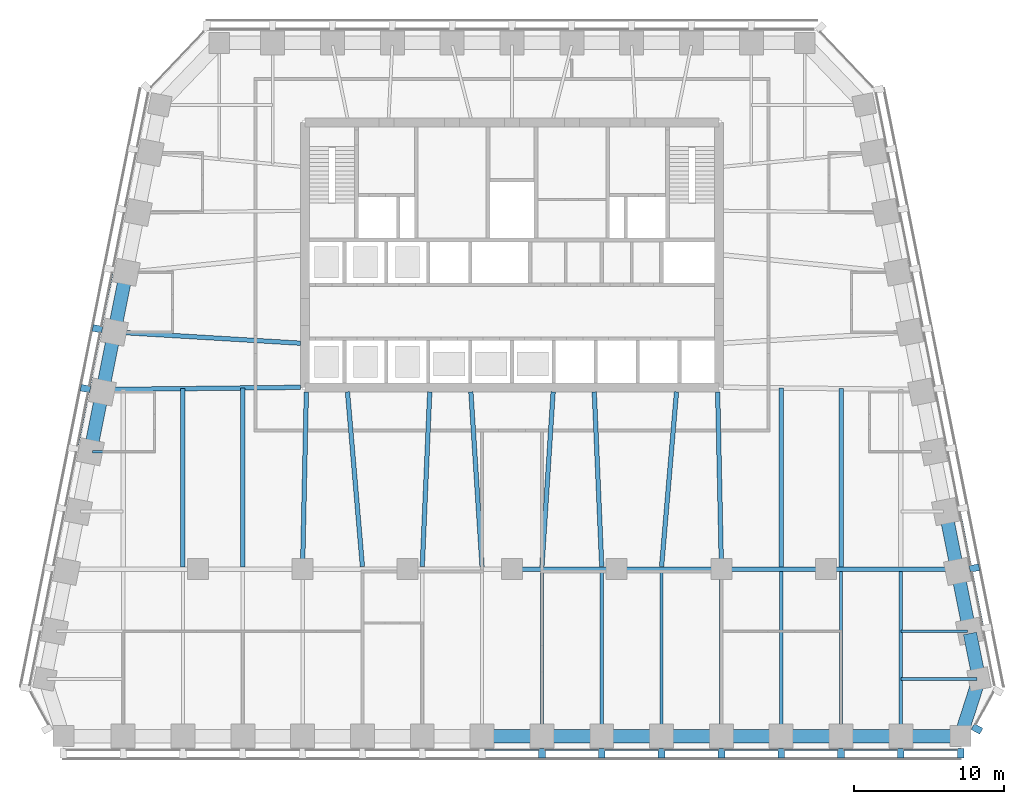
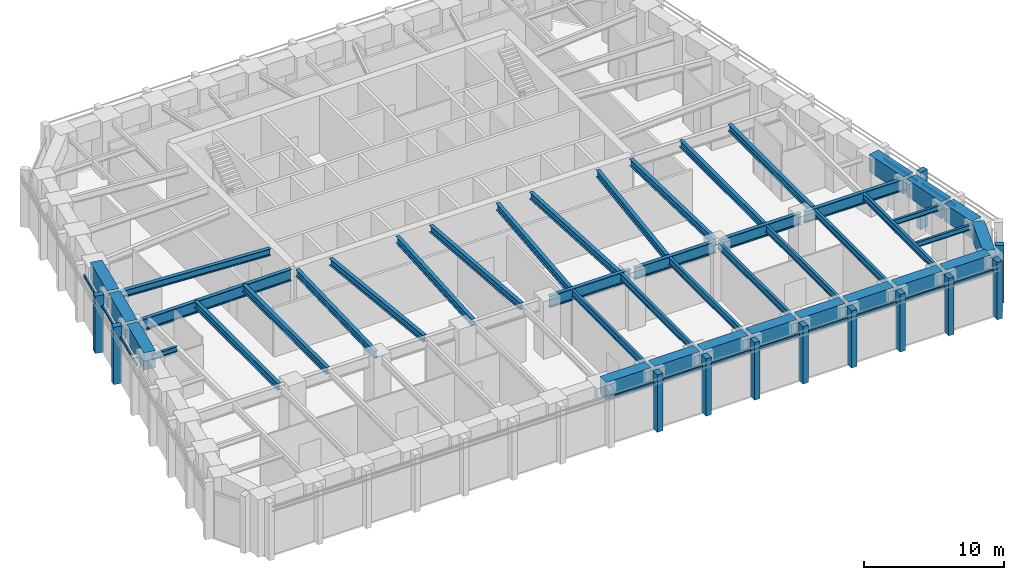
# One storey, part 2 of 11: 43 beams, 25 members, 4 elements without a shape of their own.
"""IFC4 building model written with IfcOpenShell, lengths in metres."""

from ifc_helpers import new_model, si_unit, direction, frame, origin, origin_2d, place, context, subcontext, project, spatial, rectangle, i_section, extrude, material, material_profile, profile_set, type_object, element, aggregate, save


model = new_model("IFC4")

# Units and contexts
model_context = context("Model", 3, precision=1e-05, world=origin(), true_north=direction((0.0, 1.0)))
body_context = subcontext(model_context, "Body", "Model", "MODEL_VIEW")
ifc_project = project(units=[si_unit("LENGTHUNIT", "METRE"), si_unit("AREAUNIT", "SQUARE_METRE"), si_unit("VOLUMEUNIT", "CUBIC_METRE"), si_unit("PLANEANGLEUNIT", "RADIAN"), si_unit("MASSUNIT", "GRAM", prefix="KILO")], contexts=[model_context])

# Site, building, storey
site_placement = place(None, origin())
site = spatial("IfcSite", under=ifc_project, at=site_placement, CompositionType="ELEMENT")
building_placement = place(site_placement, origin())
building = spatial("IfcBuilding", under=site, at=building_placement, Name="Isbrekke Arena Tower", CompositionType="ELEMENT")
storey_placement = place(building_placement, frame((0.0, 0.0, 173.0)))
storey = spatial("IfcBuildingStorey", under=building, at=storey_placement, Name="L39", CompositionType="ELEMENT", Elevation=173.0)

# Beams
ifc_material_1 = material(Name="Steel S355", Category="steel")
ifc_material_profile_1 = material_profile(ifc_material_1, i_section(OverallWidth=0.219970703125, OverallDepth=0.60009765625, WebThickness=0.011962890625, FlangeThickness=0.01904296875, FilletRadius=0.02392578125, at=origin_2d()), Name="IPE 600")
ifc_profile_set_1 = profile_set([ifc_material_profile_1], Name="Steel S355")
beam_type_1 = type_object("IfcBeamType", Name="B1 IPE 600", PredefinedType="BEAM", material=ifc_profile_set_1)
for number, where, z_axis, x_axis, name in (
    (1, (2.0, -17.02490234375, 4.550048828125), (0.0, 1.0, 0.0), (-1.0, 0.0, 0.0), "B1 beam S-S09 L39"),
    (2, (6.0, -17.02490234375, 4.550048828125), (0.0, 1.0, 0.0), (-1.0, 0.0, 0.0), "B1 beam S-S10 L39"),
    (3, (10.0, -17.02490234375, 4.550048828125), (0.0, 1.0, 0.0), (-1.0, 0.0, 0.0), "B1 beam S-S11 L39"),
):
    element("IfcBeam", number, at=place(storey_placement, frame(where, z_axis=z_axis, x_axis=x_axis)), inside=storey, type_object=beam_type_1, Name=name, PredefinedType="BEAM", context=body_context, shape_type="SweptSolid", body=[
        extrude(i_section(OverallWidth=0.219970703125, OverallDepth=0.60009765625, WebThickness=0.011962890625, FlangeThickness=0.01904296875, FilletRadius=0.02392578125, at=origin_2d()), origin(), (0.0, 0.0, 1.0), 10.8740234375),
    ])
beam_1_placement = place(storey_placement, frame((14.0, -17.02490234375, 4.550048828125), z_axis=(0.0, 1.0, 0.0), x_axis=(-1.0, 0.0, 0.0)))
element("IfcBeam", 4, at=beam_1_placement, inside=storey, type_object=beam_type_1, Name="B1 beam S-S12 L39", PredefinedType="BEAM", context=body_context, shape_type="SweptSolid", body=[
    extrude(i_section(OverallWidth=0.219970703125, OverallDepth=0.60009765625, WebThickness=0.011962890625, FlangeThickness=0.01904296875, FilletRadius=0.02392578125, at=origin_2d()), origin(), (0.0, 0.0, 1.0), 10.875),
])
for number, where, z_axis, x_axis, name in (
    (5, (18.0, -17.02490234375, 4.550048828125), (0.0, 1.0, 0.0), (-1.0, 0.0, 0.0), "B1 beam S-S13 L39"),
    (6, (22.0, -17.02490234375, 4.550048828125), (0.0, 1.0, 0.0), (-1.0, 0.0, 0.0), "B1 beam S-S14 L39"),
    (7, (26.0, -17.02490234375, 4.550048828125), (0.0, 1.0, 0.0), (-1.0, 0.0, 0.0), "B1 beam S-S15 L39"),
):
    element("IfcBeam", number, at=place(storey_placement, frame(where, z_axis=z_axis, x_axis=x_axis)), inside=storey, type_object=beam_type_1, Name=name, PredefinedType="BEAM", context=body_context, shape_type="SweptSolid", body=[
        extrude(i_section(OverallWidth=0.219970703125, OverallDepth=0.60009765625, WebThickness=0.011962890625, FlangeThickness=0.01904296875, FilletRadius=0.02392578125, at=origin_2d()), origin(), (0.0, 0.0, 1.0), 10.8740234375),
    ])
ifc_material_2 = material(Name="Steel S355", Category="steel")
ifc_material_profile_2 = material_profile(ifc_material_2, i_section(OverallWidth=0.18994140625, OverallDepth=0.449951171875, WebThickness=0.009521484375, FlangeThickness=0.0146484375, FilletRadius=0.02099609375, at=origin_2d()), Name="IPE 450")
ifc_profile_set_2 = profile_set([ifc_material_profile_2], Name="Steel S355")
beam_type_2 = type_object("IfcBeamType", Name="B2 IPE 450", PredefinedType="BEAM", material=ifc_profile_set_2)
beam_2_placement = place(storey_placement, frame((31.079345703125, -13.352783203125, 4.625), z_axis=(-1.0, 0.0, 0.0), x_axis=(0.0, -1.0, 0.0)))
element("IfcBeam", 8, at=beam_2_placement, inside=storey, type_object=beam_type_2, Name="B2 beam E-E01 L39", PredefinedType="BEAM", context=body_context, shape_type="SweptSolid", body=[
    extrude(i_section(OverallWidth=0.18994140625, OverallDepth=0.449951171875, WebThickness=0.009521484375, FlangeThickness=0.0146484375, FilletRadius=0.02099609375, at=origin_2d()), origin(), (0.0, 0.0, 1.0), 5.079345703125),
])
beam_3_placement = place(storey_placement, frame((30.44091796875, -10.161865234375, 4.625), z_axis=(-1.0, 0.0, 0.0), x_axis=(0.0, -1.0, 0.0)))
element("IfcBeam", 9, at=beam_3_placement, inside=storey, type_object=beam_type_2, Name="B2 beam E-E02 L39", PredefinedType="BEAM", context=body_context, shape_type="SweptSolid", body=[
    extrude(i_section(OverallWidth=0.18994140625, OverallDepth=0.449951171875, WebThickness=0.009521484375, FlangeThickness=0.0146484375, FilletRadius=0.02099609375, at=origin_2d()), origin(), (0.0, 0.0, 1.0), 4.44091796875),
])
beam_4_placement = place(storey_placement, frame((-28.041015625, 1.838134765625, 4.625), z_axis=(1.0, 0.0, 0.0), x_axis=(0.0, 1.0, 0.0)))
element("IfcBeam", 10, at=beam_4_placement, inside=storey, type_object=beam_type_2, Name="B2 beam E-W07 L39", PredefinedType="BEAM", context=body_context, shape_type="SweptSolid", body=[
    extrude(i_section(OverallWidth=0.18994140625, OverallDepth=0.449951171875, WebThickness=0.009521484375, FlangeThickness=0.0146484375, FilletRadius=0.02099609375, at=origin_2d()), origin(), (0.0, 0.0, 1.0), 2.041015625),
])
ifc_material_3 = material(Name="Steel S355", Category="steel")
ifc_material_profile_3 = material_profile(ifc_material_3, i_section(OverallWidth=0.300048828125, OverallDepth=0.60009765625, WebThickness=0.015380859375, FlangeThickness=0.030029296875, FilletRadius=0.027099609375, at=origin_2d()), Name="HEB 600")
ifc_profile_set_3 = profile_set([ifc_material_profile_3], Name="Steel S355")
beam_type_3 = type_object("IfcBeamType", Name="B7 HEB 600", PredefinedType="BEAM", material=ifc_profile_set_3)
beam_5_placement = place(storey_placement, frame((-22.0, -5.84912109375, 4.550048828125), z_axis=(0.0, 1.0, 0.0), x_axis=(-1.0, 0.0, 0.0)))
element("IfcBeam", 11, at=beam_5_placement, inside=storey, type_object=beam_type_3, Name="B7 beam C-M02 L39", PredefinedType="BEAM", context=body_context, shape_type="SweptSolid", body=[
    extrude(i_section(OverallWidth=0.300048828125, OverallDepth=0.60009765625, WebThickness=0.015380859375, FlangeThickness=0.030029296875, FilletRadius=0.027099609375, at=origin_2d()), origin(), (0.0, 0.0, 1.0), 11.91015625),
])
beam_6_placement = place(storey_placement, frame((-18.0, -5.84912109375, 4.550048828125), z_axis=(0.0, 1.0, 0.0), x_axis=(-1.0, 0.0, 0.0)))
element("IfcBeam", 12, at=beam_6_placement, inside=storey, type_object=beam_type_3, Name="B7 beam C-M03 L39", PredefinedType="BEAM", context=body_context, shape_type="SweptSolid", body=[
    extrude(i_section(OverallWidth=0.300048828125, OverallDepth=0.60009765625, WebThickness=0.015380859375, FlangeThickness=0.030029296875, FilletRadius=0.027099609375, at=origin_2d()), origin(), (0.0, 0.0, 1.0), 11.95556640625),
])
beam_7_placement = place(storey_placement, frame((-14.0, -5.8466796875, 4.550048828125), z_axis=(0.021368528218, 0.999771666933, 0.0), x_axis=(-0.999771666933, 0.021368528218, 0.0)))
element("IfcBeam", 13, at=beam_7_placement, inside=storey, type_object=beam_type_3, Name="B7 beam C-M04 L39", PredefinedType="BEAM", context=body_context, shape_type="SweptSolid", body=[
    extrude(i_section(OverallWidth=0.300048828125, OverallDepth=0.60009765625, WebThickness=0.015380859375, FlangeThickness=0.030029296875, FilletRadius=0.027099609375, at=origin_2d()), origin(), (0.0, 0.0, 1.0), 11.699462890625),
])
beam_8_placement = place(storey_placement, frame((-10.0009765625, -5.836181640625, 4.550048828125), z_axis=(-0.085176202372, 0.996365903948, 0.0), x_axis=(-0.996365903948, -0.085176202372, 0.0)))
element("IfcBeam", 14, at=beam_8_placement, inside=storey, type_object=beam_type_3, Name="B7 beam C-M05 L39", PredefinedType="BEAM", context=body_context, shape_type="SweptSolid", body=[
    extrude(i_section(OverallWidth=0.300048828125, OverallDepth=0.60009765625, WebThickness=0.015380859375, FlangeThickness=0.030029296875, FilletRadius=0.027099609375, at=origin_2d()), origin(), (0.0, 0.0, 1.0), 11.72900390625),
])
beam_9_placement = place(storey_placement, frame((-5.999755859375, -5.842529296875, 4.550048828125), z_axis=(0.042702124015, 0.999087848292, 0.0), x_axis=(-0.999087848292, 0.042702124015, 0.0)))
element("IfcBeam", 15, at=beam_9_placement, inside=storey, type_object=beam_type_3, Name="B7 beam C-M06 L39", PredefinedType="BEAM", context=body_context, shape_type="SweptSolid", body=[
    extrude(i_section(OverallWidth=0.300048828125, OverallDepth=0.60009765625, WebThickness=0.015380859375, FlangeThickness=0.030029296875, FilletRadius=0.027099609375, at=origin_2d()), origin(), (0.0, 0.0, 1.0), 11.703369140625),
])
for number, where, z_axis, x_axis, name in (
    (16, (-2.000732421875, -5.83935546875, 4.550048828125), (-0.063966475255, 0.997952047968, 0.0), (-0.997952047968, -0.063966475255, 0.0), "B7 beam C-M07 L39"),
    (17, (2.000732421875, -5.83935546875, 4.550048828125), (0.063966475255, 0.997952047968, 0.0), (-0.997952047968, 0.063966475255, 0.0), "B7 beam C-M08 L39"),
):
    element("IfcBeam", number, at=place(storey_placement, frame(where, z_axis=z_axis, x_axis=x_axis)), inside=storey, type_object=beam_type_3, Name=name, PredefinedType="BEAM", context=body_context, shape_type="SweptSolid", body=[
        extrude(i_section(OverallWidth=0.300048828125, OverallDepth=0.60009765625, WebThickness=0.015380859375, FlangeThickness=0.030029296875, FilletRadius=0.027099609375, at=origin_2d()), origin(), (0.0, 0.0, 1.0), 11.71337890625),
    ])
beam_10_placement = place(storey_placement, frame((5.999755859375, -5.842529296875, 4.550048828125), z_axis=(-0.042702124015, 0.999087848292, 0.0), x_axis=(-0.999087848292, -0.042702124015, 0.0)))
element("IfcBeam", 18, at=beam_10_placement, inside=storey, type_object=beam_type_3, Name="B7 beam C-M09 L39", PredefinedType="BEAM", context=body_context, shape_type="SweptSolid", body=[
    extrude(i_section(OverallWidth=0.300048828125, OverallDepth=0.60009765625, WebThickness=0.015380859375, FlangeThickness=0.030029296875, FilletRadius=0.027099609375, at=origin_2d()), origin(), (0.0, 0.0, 1.0), 11.703369140625),
])
beam_11_placement = place(storey_placement, frame((10.0009765625, -5.836181640625, 4.550048828125), z_axis=(0.085176202372, 0.996365903948, 0.0), x_axis=(-0.996365903948, 0.085176202372, 0.0)))
element("IfcBeam", 19, at=beam_11_placement, inside=storey, type_object=beam_type_3, Name="B7 beam C-M10 L39", PredefinedType="BEAM", context=body_context, shape_type="SweptSolid", body=[
    extrude(i_section(OverallWidth=0.300048828125, OverallDepth=0.60009765625, WebThickness=0.015380859375, FlangeThickness=0.030029296875, FilletRadius=0.027099609375, at=origin_2d()), origin(), (0.0, 0.0, 1.0), 11.72900390625),
])
beam_12_placement = place(storey_placement, frame((14.0, -5.8466796875, 4.550048828125), z_axis=(-0.021368528218, 0.999771666933, 0.0), x_axis=(-0.999771666933, -0.021368528218, 0.0)))
element("IfcBeam", 20, at=beam_12_placement, inside=storey, type_object=beam_type_3, Name="B7 beam C-M11 L39", PredefinedType="BEAM", context=body_context, shape_type="SweptSolid", body=[
    extrude(i_section(OverallWidth=0.300048828125, OverallDepth=0.60009765625, WebThickness=0.015380859375, FlangeThickness=0.030029296875, FilletRadius=0.027099609375, at=origin_2d()), origin(), (0.0, 0.0, 1.0), 11.699462890625),
])
beam_13_placement = place(storey_placement, frame((18.0, -5.84912109375, 4.550048828125), z_axis=(0.0, 1.0, 0.0), x_axis=(-1.0, 0.0, 0.0)))
element("IfcBeam", 21, at=beam_13_placement, inside=storey, type_object=beam_type_3, Name="B7 beam C-M12 L39", PredefinedType="BEAM", context=body_context, shape_type="SweptSolid", body=[
    extrude(i_section(OverallWidth=0.300048828125, OverallDepth=0.60009765625, WebThickness=0.015380859375, FlangeThickness=0.030029296875, FilletRadius=0.027099609375, at=origin_2d()), origin(), (0.0, 0.0, 1.0), 11.95556640625),
])
beam_14_placement = place(storey_placement, frame((22.0, -5.84912109375, 4.550048828125), z_axis=(0.0, 1.0, 0.0), x_axis=(-1.0, 0.0, 0.0)))
element("IfcBeam", 22, at=beam_14_placement, inside=storey, type_object=beam_type_3, Name="B7 beam C-M13 L39", PredefinedType="BEAM", context=body_context, shape_type="SweptSolid", body=[
    extrude(i_section(OverallWidth=0.300048828125, OverallDepth=0.60009765625, WebThickness=0.015380859375, FlangeThickness=0.030029296875, FilletRadius=0.027099609375, at=origin_2d()), origin(), (0.0, 0.0, 1.0), 11.91015625),
])
beam_15_placement = place(storey_placement, frame((-26.43212890625, 9.837646484375, 4.550048828125), z_axis=(0.998201854902, -0.059942112659, 0.0), x_axis=(0.059942112659, 0.998201854902, 0.0)))
element("IfcBeam", 23, at=beam_15_placement, inside=storey, type_object=beam_type_3, Name="B7 beam E-W05 L39", PredefinedType="BEAM", context=body_context, shape_type="SweptSolid", body=[
    extrude(i_section(OverallWidth=0.300048828125, OverallDepth=0.60009765625, WebThickness=0.015380859375, FlangeThickness=0.030029296875, FilletRadius=0.027099609375, at=origin_2d()), origin(), (0.0, 0.0, 1.0), 12.304443359375),
])

# Curtain wall, members
ifc_material_4 = material(Name="Glazed aluminium curtain wall", Category="aluminium")
curtain_wall_type = type_object("IfcCurtainWallType", Name="CWS SKY LOBBY CURTAIN WALL", PredefinedType="USERDEFINED", material=ifc_material_4)
curtain_wall_1_placement = place(storey_placement, origin())
curtain_wall_1 = element("IfcCurtainWall", 24, at=curtain_wall_1_placement, inside=storey, type_object=curtain_wall_type, Name="CWS curtain wall L39-S", ObjectType="SKY LOBBY CURTAIN WALL", PredefinedType="USERDEFINED")
ifc_material_5 = material(Name="Aluminium mullion, pale brick slip cladding", Category="masonry")
ifc_material_profile_4 = material_profile(ifc_material_5, rectangle(XDim=0.449951171875, YDim=0.64990234375, at=origin_2d()), Name="PIER 450X650")
ifc_profile_set_4 = profile_set([ifc_material_profile_4], Name="Aluminium mullion, pale brick slip cladding")
member_type_1 = type_object("IfcMemberType", Name="CWS-M PIER MULLION 450 x 650", PredefinedType="MULLION", material=ifc_profile_set_4)
member_1_placement = place(storey_placement, frame((2.0, -18.324951171875, 0.0), z_axis=(0.0, 0.0, 1.0), x_axis=(1.0, 0.0, 0.0)))
member_1 = element("IfcMember", 25, at=member_1_placement, type_object=member_type_1, Name="CWS-M mullion 9", PredefinedType="MULLION", context=body_context, shape_type="SweptSolid", body=[
    extrude(rectangle(XDim=0.449951171875, YDim=0.64990234375, at=origin_2d()), origin(), (0.0, 0.0, 1.0), 5.0),
])
member_2_placement = place(storey_placement, frame((6.0, -18.324951171875, 0.0), z_axis=(0.0, 0.0, 1.0), x_axis=(1.0, 0.0, 0.0)))
member_2 = element("IfcMember", 26, at=member_2_placement, type_object=member_type_1, Name="CWS-M mullion 10", PredefinedType="MULLION", context=body_context, shape_type="SweptSolid", body=[
    extrude(rectangle(XDim=0.449951171875, YDim=0.64990234375, at=origin_2d()), origin(), (0.0, 0.0, 1.0), 5.0),
])
member_3_placement = place(storey_placement, frame((10.0, -18.324951171875, 0.0), z_axis=(0.0, 0.0, 1.0), x_axis=(1.0, 0.0, 0.0)))
member_3 = element("IfcMember", 27, at=member_3_placement, type_object=member_type_1, Name="CWS-M mullion 11", PredefinedType="MULLION", context=body_context, shape_type="SweptSolid", body=[
    extrude(rectangle(XDim=0.449951171875, YDim=0.64990234375, at=origin_2d()), origin(), (0.0, 0.0, 1.0), 5.0),
])
member_4_placement = place(storey_placement, frame((14.0, -18.324951171875, 0.0), z_axis=(0.0, 0.0, 1.0), x_axis=(1.0, 0.0, 0.0)))
member_4 = element("IfcMember", 28, at=member_4_placement, type_object=member_type_1, Name="CWS-M mullion 12", PredefinedType="MULLION", context=body_context, shape_type="SweptSolid", body=[
    extrude(rectangle(XDim=0.449951171875, YDim=0.64990234375, at=origin_2d()), origin(), (0.0, 0.0, 1.0), 5.0),
])
member_5_placement = place(storey_placement, frame((18.0, -18.324951171875, 0.0), z_axis=(0.0, 0.0, 1.0), x_axis=(1.0, 0.0, 0.0)))
member_5 = element("IfcMember", 29, at=member_5_placement, type_object=member_type_1, Name="CWS-M mullion 13", PredefinedType="MULLION", context=body_context, shape_type="SweptSolid", body=[
    extrude(rectangle(XDim=0.449951171875, YDim=0.64990234375, at=origin_2d()), origin(), (0.0, 0.0, 1.0), 5.0),
])
member_6_placement = place(storey_placement, frame((22.0, -18.324951171875, 0.0), z_axis=(0.0, 0.0, 1.0), x_axis=(1.0, 0.0, 0.0)))
member_6 = element("IfcMember", 30, at=member_6_placement, type_object=member_type_1, Name="CWS-M mullion 14", PredefinedType="MULLION", context=body_context, shape_type="SweptSolid", body=[
    extrude(rectangle(XDim=0.449951171875, YDim=0.64990234375, at=origin_2d()), origin(), (0.0, 0.0, 1.0), 5.0),
])
member_7_placement = place(storey_placement, frame((26.0, -18.324951171875, 0.0), z_axis=(0.0, 0.0, 1.0), x_axis=(1.0, 0.0, 0.0)))
member_7 = element("IfcMember", 31, at=member_7_placement, type_object=member_type_1, Name="CWS-M mullion 15", PredefinedType="MULLION", context=body_context, shape_type="SweptSolid", body=[
    extrude(rectangle(XDim=0.449951171875, YDim=0.64990234375, at=origin_2d()), origin(), (0.0, 0.0, 1.0), 5.0),
])
member_8_placement = place(storey_placement, frame((30.0, -18.324951171875, 0.0), z_axis=(0.0, 0.0, 1.0), x_axis=(1.0, 0.0, 0.0)))
member_8 = element("IfcMember", 32, at=member_8_placement, type_object=member_type_1, Name="CWS-M mullion 16", PredefinedType="MULLION", context=body_context, shape_type="SweptSolid", body=[
    extrude(rectangle(XDim=0.449951171875, YDim=0.64990234375, at=origin_2d()), origin(), (0.0, 0.0, 1.0), 5.0),
])

# Curtain wall, member
curtain_wall_2_placement = place(storey_placement, origin())
curtain_wall_2 = element("IfcCurtainWall", 33, at=curtain_wall_2_placement, inside=storey, type_object=curtain_wall_type, Name="CWS curtain wall L39-SE", ObjectType="SKY LOBBY CURTAIN WALL", PredefinedType="USERDEFINED")
member_9_placement = place(storey_placement, frame((31.0908203125, -16.69091796875, 0.0), z_axis=(0.0, 0.0, 1.0), x_axis=(0.481918749773, 0.876215908676, 0.0)))
member_9 = element("IfcMember", 34, at=member_9_placement, type_object=member_type_1, Name="CWS-M mullion 1", PredefinedType="MULLION", context=body_context, shape_type="SweptSolid", body=[
    extrude(rectangle(XDim=0.449951171875, YDim=0.64990234375, at=origin_2d()), origin(), (0.0, 0.0, 1.0), 5.0),
])
aggregate(curtain_wall_2, [member_9])

curtain_wall_3_placement = place(storey_placement, origin())
curtain_wall_3 = element("IfcCurtainWall", 35, at=curtain_wall_3_placement, inside=storey, type_object=curtain_wall_type, Name="CWS curtain wall L39-E", ObjectType="SKY LOBBY CURTAIN WALL", PredefinedType="USERDEFINED")
member_10_placement = place(storey_placement, frame((30.918701171875, -5.936279296875, 0.0), z_axis=(0.0, 0.0, 1.0), x_axis=(-0.196116135138, 0.980580675691, 0.0)))
member_10 = element("IfcMember", 36, at=member_10_placement, type_object=member_type_1, Name="CWS-M mullion 2", PredefinedType="MULLION", context=body_context, shape_type="SweptSolid", body=[
    extrude(rectangle(XDim=0.449951171875, YDim=0.64990234375, at=origin_2d()), origin(), (0.0, 0.0, 1.0), 5.0),
])

# Curtain wall, members
curtain_wall_4_placement = place(storey_placement, origin())
curtain_wall_4 = element("IfcCurtainWall", 37, at=curtain_wall_4_placement, inside=storey, type_object=curtain_wall_type, Name="CWS curtain wall L39-W", ObjectType="SKY LOBBY CURTAIN WALL", PredefinedType="USERDEFINED")
member_11_placement = place(storey_placement, frame((-27.71875, 10.063720703125, 0.0), z_axis=(0.0, 0.0, 1.0), x_axis=(-0.196116135138, -0.980580675691, 0.0)))
member_11 = element("IfcMember", 38, at=member_11_placement, type_object=member_type_1, Name="CWS-M mullion 4", PredefinedType="MULLION", context=body_context, shape_type="SweptSolid", body=[
    extrude(rectangle(XDim=0.449951171875, YDim=0.64990234375, at=origin_2d()), origin(), (0.0, 0.0, 1.0), 5.0),
])
member_12_placement = place(storey_placement, frame((-28.518798828125, 6.063720703125, 0.0), z_axis=(0.0, 0.0, 1.0), x_axis=(-0.196116135138, -0.980580675691, 0.0)))
member_12 = element("IfcMember", 39, at=member_12_placement, type_object=member_type_1, Name="CWS-M mullion 5", PredefinedType="MULLION", context=body_context, shape_type="SweptSolid", body=[
    extrude(rectangle(XDim=0.449951171875, YDim=0.64990234375, at=origin_2d()), origin(), (0.0, 0.0, 1.0), 5.0),
])

# Member
ifc_material_6 = material(Name="Aluminium transom", Category="aluminium")
ifc_material_profile_5 = material_profile(ifc_material_6, rectangle(XDim=0.1201171875, YDim=0.199951171875, at=origin_2d()), Name="TRANSOM 120X200")
ifc_profile_set_5 = profile_set([ifc_material_profile_5], Name="Aluminium transom")
member_type_2 = type_object("IfcMemberType", Name="CWS-T TRANSOM 120 x 200", PredefinedType="USERDEFINED", material=ifc_profile_set_5)
member_13_placement = place(storey_placement, frame((-1.77490234375, -18.10009765625, 4.0), z_axis=(1.0, 0.0, 0.0), x_axis=(0.0, 1.0, 0.0)))
member_13 = element("IfcMember", 40, at=member_13_placement, type_object=member_type_2, Name="CWS-T transom 8", ObjectType="TRANSOM", PredefinedType="USERDEFINED", context=body_context, shape_type="SweptSolid", body=[
    extrude(rectangle(XDim=0.1201171875, YDim=0.199951171875, at=origin_2d()), origin(), (0.0, 0.0, 1.0), 3.5498046875),
])

member_14_placement = place(storey_placement, frame((2.22509765625, -18.10009765625, 4.0), z_axis=(1.0, 0.0, 0.0), x_axis=(0.0, 1.0, 0.0)))
member_14 = element("IfcMember", 41, at=member_14_placement, type_object=member_type_2, Name="CWS-T transom 9", ObjectType="TRANSOM", PredefinedType="USERDEFINED", context=body_context, shape_type="SweptSolid", body=[
    extrude(rectangle(XDim=0.1201171875, YDim=0.199951171875, at=origin_2d()), origin(), (0.0, 0.0, 1.0), 3.5498046875),
])

member_15_placement = place(storey_placement, frame((6.22509765625, -18.10009765625, 4.0), z_axis=(1.0, 0.0, 0.0), x_axis=(0.0, 1.0, 0.0)))
member_15 = element("IfcMember", 42, at=member_15_placement, type_object=member_type_2, Name="CWS-T transom 10", ObjectType="TRANSOM", PredefinedType="USERDEFINED", context=body_context, shape_type="SweptSolid", body=[
    extrude(rectangle(XDim=0.1201171875, YDim=0.199951171875, at=origin_2d()), origin(), (0.0, 0.0, 1.0), 3.5498046875),
])

member_16_placement = place(storey_placement, frame((10.22509765625, -18.10009765625, 4.0), z_axis=(1.0, 0.0, 0.0), x_axis=(0.0, 1.0, 0.0)))
member_16 = element("IfcMember", 43, at=member_16_placement, type_object=member_type_2, Name="CWS-T transom 11", ObjectType="TRANSOM", PredefinedType="USERDEFINED", context=body_context, shape_type="SweptSolid", body=[
    extrude(rectangle(XDim=0.1201171875, YDim=0.199951171875, at=origin_2d()), origin(), (0.0, 0.0, 1.0), 3.5498046875),
])

member_17_placement = place(storey_placement, frame((14.22509765625, -18.10009765625, 4.0), z_axis=(1.0, 0.0, 0.0), x_axis=(0.0, 1.0, 0.0)))
member_17 = element("IfcMember", 44, at=member_17_placement, type_object=member_type_2, Name="CWS-T transom 12", ObjectType="TRANSOM", PredefinedType="USERDEFINED", context=body_context, shape_type="SweptSolid", body=[
    extrude(rectangle(XDim=0.1201171875, YDim=0.199951171875, at=origin_2d()), origin(), (0.0, 0.0, 1.0), 3.5498046875),
])

member_18_placement = place(storey_placement, frame((18.22509765625, -18.10009765625, 4.0), z_axis=(1.0, 0.0, 0.0), x_axis=(0.0, 1.0, 0.0)))
member_18 = element("IfcMember", 45, at=member_18_placement, type_object=member_type_2, Name="CWS-T transom 13", ObjectType="TRANSOM", PredefinedType="USERDEFINED", context=body_context, shape_type="SweptSolid", body=[
    extrude(rectangle(XDim=0.1201171875, YDim=0.199951171875, at=origin_2d()), origin(), (0.0, 0.0, 1.0), 3.5498046875),
])

member_19_placement = place(storey_placement, frame((22.22509765625, -18.10009765625, 4.0), z_axis=(1.0, 0.0, 0.0), x_axis=(0.0, 1.0, 0.0)))
member_19 = element("IfcMember", 46, at=member_19_placement, type_object=member_type_2, Name="CWS-T transom 14", ObjectType="TRANSOM", PredefinedType="USERDEFINED", context=body_context, shape_type="SweptSolid", body=[
    extrude(rectangle(XDim=0.1201171875, YDim=0.199951171875, at=origin_2d()), origin(), (0.0, 0.0, 1.0), 3.5498046875),
])

member_20_placement = place(storey_placement, frame((26.22509765625, -18.10009765625, 4.0), z_axis=(1.0, 0.0, 0.0), x_axis=(0.0, 1.0, 0.0)))
member_20 = element("IfcMember", 47, at=member_20_placement, type_object=member_type_2, Name="CWS-T transom 15", ObjectType="TRANSOM", PredefinedType="USERDEFINED", context=body_context, shape_type="SweptSolid", body=[
    extrude(rectangle(XDim=0.1201171875, YDim=0.199951171875, at=origin_2d()), origin(), (0.0, 0.0, 1.0), 3.5498046875),
])

aggregate(curtain_wall_1, [member_1, member_2, member_3, member_4, member_5, member_6, member_7, member_8, member_13, member_14, member_15, member_16, member_17, member_18, member_19, member_20])

member_21_placement = place(storey_placement, frame((31.453857421875, -9.759765625, 4.0), z_axis=(-0.196090262229, 0.980585849918, 0.0), x_axis=(-0.980585849918, -0.196090262229, 0.0)))
member_21 = element("IfcMember", 48, at=member_21_placement, type_object=member_type_2, Name="CWS-T transom 2", ObjectType="TRANSOM", PredefinedType="USERDEFINED", context=body_context, shape_type="SweptSolid", body=[
    extrude(rectangle(XDim=0.1201171875, YDim=0.199951171875, at=origin_2d()), origin(), (0.0, 0.0, 1.0), 3.62939453125),
])

member_22_placement = place(storey_placement, frame((30.654052734375, -5.759765625, 4.0), z_axis=(-0.196154943734, 0.980572913173, 0.0), x_axis=(-0.980572913173, -0.196154943734, 0.0)))
member_22 = element("IfcMember", 49, at=member_22_placement, type_object=member_type_2, Name="CWS-T transom 3", ObjectType="TRANSOM", PredefinedType="USERDEFINED", context=body_context, shape_type="SweptSolid", body=[
    extrude(rectangle(XDim=0.1201171875, YDim=0.199951171875, at=origin_2d()), origin(), (0.0, 0.0, 1.0), 3.62939453125),
])

aggregate(curtain_wall_3, [member_10, member_21, member_22])

member_23_placement = place(storey_placement, frame((-26.7421875, 13.799072265625, 4.0), z_axis=(-0.196090262229, -0.980585849918, 0.0), x_axis=(0.980585849918, -0.196090262229, 0.0)))
member_23 = element("IfcMember", 50, at=member_23_placement, type_object=member_type_2, Name="CWS-T transom 4", ObjectType="TRANSOM", PredefinedType="USERDEFINED", context=body_context, shape_type="SweptSolid", body=[
    extrude(rectangle(XDim=0.1201171875, YDim=0.199951171875, at=origin_2d()), origin(), (0.0, 0.0, 1.0), 3.62939453125),
])

member_24_placement = place(storey_placement, frame((-27.542236328125, 9.799072265625, 4.0), z_axis=(-0.196090262229, -0.980585849918, 0.0), x_axis=(0.980585849918, -0.196090262229, 0.0)))
member_24 = element("IfcMember", 51, at=member_24_placement, type_object=member_type_2, Name="CWS-T transom 5", ObjectType="TRANSOM", PredefinedType="USERDEFINED", context=body_context, shape_type="SweptSolid", body=[
    extrude(rectangle(XDim=0.1201171875, YDim=0.199951171875, at=origin_2d()), origin(), (0.0, 0.0, 1.0), 3.62939453125),
])

member_25_placement = place(storey_placement, frame((-28.34228515625, 5.799072265625, 4.0), z_axis=(-0.196090262229, -0.980585849918, 0.0), x_axis=(0.980585849918, -0.196090262229, 0.0)))
member_25 = element("IfcMember", 52, at=member_25_placement, type_object=member_type_2, Name="CWS-T transom 6", ObjectType="TRANSOM", PredefinedType="USERDEFINED", context=body_context, shape_type="SweptSolid", body=[
    extrude(rectangle(XDim=0.1201171875, YDim=0.199951171875, at=origin_2d()), origin(), (0.0, 0.0, 1.0), 3.62939453125),
])

aggregate(curtain_wall_4, [member_11, member_12, member_23, member_24, member_25])

# Beams
ifc_material_7 = material(Name="Steel S355", Category="steel")
ifc_material_profile_6 = material_profile(ifc_material_7, i_section(OverallWidth=0.302001953125, OverallDepth=1.008056640625, WebThickness=0.02099609375, FlangeThickness=0.0400390625, FilletRadius=0.030029296875, at=origin_2d()), Name="HEM 1000")
ifc_profile_set_6 = profile_set([ifc_material_profile_6], Name="Steel S355")
beam_type_4 = type_object("IfcBeamType", Name="G1 HEM 1000", PredefinedType="BEAM", material=ifc_profile_set_6)
for number, where, z_axis, x_axis, name in (
    (53, (0.14990234375, -6.0, 4.345947265625), (1.0, 0.0, 0.0), (0.0, 1.0, 0.0), "G1 beam G1-05 L39"),
    (54, (7.14990234375, -6.0, 4.345947265625), (1.0, 0.0, 0.0), (0.0, 1.0, 0.0), "G1 beam G1-06 L39"),
    (55, (14.14990234375, -6.0, 4.345947265625), (1.0, 0.0, 0.0), (0.0, 1.0, 0.0), "G1 beam G1-07 L39"),
):
    element("IfcBeam", number, at=place(storey_placement, frame(where, z_axis=z_axis, x_axis=x_axis)), inside=storey, type_object=beam_type_4, Name=name, PredefinedType="BEAM", context=body_context, shape_type="SweptSolid", body=[
        extrude(i_section(OverallWidth=0.302001953125, OverallDepth=1.008056640625, WebThickness=0.02099609375, FlangeThickness=0.0400390625, FilletRadius=0.030029296875, at=origin_2d()), origin(), (0.0, 0.0, 1.0), 6.7001953125),
    ])
beam_16_placement = place(storey_placement, frame((21.14990234375, -6.0, 4.345947265625), z_axis=(1.0, 0.0, 0.0), x_axis=(0.0, 1.0, 0.0)))
element("IfcBeam", 56, at=beam_16_placement, inside=storey, type_object=beam_type_4, Name="G1 beam G1-08 L39", PredefinedType="BEAM", context=body_context, shape_type="SweptSolid", body=[
    extrude(i_section(OverallWidth=0.302001953125, OverallDepth=1.008056640625, WebThickness=0.02099609375, FlangeThickness=0.0400390625, FilletRadius=0.030029296875, at=origin_2d()), origin(), (0.0, 0.0, 1.0), 8.64111328125),
])
ifc_material_8 = material(Name="Steel S355", Category="steel")
ifc_material_profile_7 = material_profile(ifc_material_8, i_section(OverallWidth=0.302001953125, OverallDepth=1.008056640625, WebThickness=0.02099609375, FlangeThickness=0.0400390625, FilletRadius=0.030029296875, at=origin_2d()), Name="HEM 1000")
ifc_profile_set_7 = profile_set([ifc_material_profile_7], Name="Steel S355")
beam_type_5 = type_object("IfcBeamType", Name="G2 HEM 1000", PredefinedType="BEAM", material=ifc_profile_set_7)
beam_17_placement = place(storey_placement, frame((-14.14990234375, 6.14990234375, 4.345947265625), z_axis=(-0.999935908299, -0.011321629528, 0.0), x_axis=(0.011321629528, -0.999935908299, 0.0)))
element("IfcBeam", 57, at=beam_17_placement, inside=storey, type_object=beam_type_5, Name="G2 beam G2-W L39", PredefinedType="BEAM", context=body_context, shape_type="SweptSolid", body=[
    extrude(i_section(OverallWidth=0.302001953125, OverallDepth=1.008056640625, WebThickness=0.02099609375, FlangeThickness=0.0400390625, FilletRadius=0.030029296875, at=origin_2d()), origin(), (0.0, 0.0, 1.0), 13.240234375),
])
ifc_material_9 = material(Name="Concrete B65 (C65/80)", Category="concrete")
ifc_material_profile_8 = material_profile(ifc_material_9, rectangle(XDim=0.89990234375, YDim=1.5, at=origin_2d()), Name="RC 900x1500")
ifc_profile_set_8 = profile_set([ifc_material_profile_8], Name="Concrete B65 (C65/80)")
beam_type_6 = type_object("IfcBeamType", Name="SB3 RC 900 x 1500", PredefinedType="SPANDREL", material=ifc_profile_set_8)
for number, where, z_axis, x_axis, name in (
    (58, (-1.85009765625, -17.175048828125, 4.25), (1.0, 0.0, 0.0), (0.0, 1.0, 0.0), "SB3 spandrel S08-S09 L39"),
    (59, (2.14990234375, -17.175048828125, 4.25), (1.0, 0.0, 0.0), (0.0, 1.0, 0.0), "SB3 spandrel S09-S10 L39"),
    (60, (6.14990234375, -17.175048828125, 4.25), (1.0, 0.0, 0.0), (0.0, 1.0, 0.0), "SB3 spandrel S10-S11 L39"),
    (61, (10.14990234375, -17.175048828125, 4.25), (1.0, 0.0, 0.0), (0.0, 1.0, 0.0), "SB3 spandrel S11-S12 L39"),
    (62, (14.14990234375, -17.175048828125, 4.25), (1.0, 0.0, 0.0), (0.0, 1.0, 0.0), "SB3 spandrel S12-S13 L39"),
    (63, (18.14990234375, -17.175048828125, 4.25), (1.0, 0.0, 0.0), (0.0, 1.0, 0.0), "SB3 spandrel S13-S14 L39"),
    (64, (22.14990234375, -17.175048828125, 4.25), (1.0, 0.0, 0.0), (0.0, 1.0, 0.0), "SB3 spandrel S14-S15 L39"),
    (65, (26.14990234375, -17.175048828125, 4.25), (1.0, 0.0, 0.0), (0.0, 1.0, 0.0), "SB3 spandrel S15-S16 L39"),
):
    element("IfcBeam", number, at=place(storey_placement, frame(where, z_axis=z_axis, x_axis=x_axis)), inside=storey, type_object=beam_type_6, Name=name, PredefinedType="SPANDREL", context=body_context, shape_type="SweptSolid", body=[
        extrude(rectangle(XDim=0.89990234375, YDim=1.5, at=origin_2d()), origin(), (0.0, 0.0, 1.0), 3.7001953125),
    ])
beam_18_placement = place(storey_placement, frame((30.0458984375, -17.0322265625, 4.25), z_axis=(0.306175101476, 0.951975213562, 0.0), x_axis=(-0.951975213562, 0.306175101476, 0.0)))
element("IfcBeam", 66, at=beam_18_placement, inside=storey, type_object=beam_type_6, Name="SB3 spandrel S16-E01 L39", PredefinedType="SPANDREL", context=body_context, shape_type="SweptSolid", body=[
    extrude(rectangle(XDim=0.89990234375, YDim=1.5, at=origin_2d()), origin(), (0.0, 0.0, 1.0), 3.715087890625),
])
beam_19_placement = place(storey_placement, frame((31.19970703125, -13.205810546875, 4.25), z_axis=(-0.196100243168, 0.980583853951, 0.0), x_axis=(-0.980583853951, -0.196100243168, 0.0)))
element("IfcBeam", 67, at=beam_19_placement, inside=storey, type_object=beam_type_6, Name="SB3 spandrel E01-E02 L39", PredefinedType="SPANDREL", context=body_context, shape_type="SweptSolid", body=[
    extrude(rectangle(XDim=0.89990234375, YDim=1.5, at=origin_2d()), origin(), (0.0, 0.0, 1.0), 2.954345703125),
])
beam_20_placement = place(storey_placement, frame((30.5615234375, -10.0146484375, 4.25), z_axis=(-0.1960664412, 0.980590613169, 0.0), x_axis=(-0.980590613169, -0.1960664412, 0.0)))
element("IfcBeam", 68, at=beam_20_placement, inside=storey, type_object=beam_type_6, Name="SB3 spandrel E02-E03 L39", PredefinedType="SPANDREL", context=body_context, shape_type="SweptSolid", body=[
    extrude(rectangle(XDim=0.89990234375, YDim=1.5, at=origin_2d()), origin(), (0.0, 0.0, 1.0), 3.779052734375),
])
beam_21_placement = place(storey_placement, frame((29.76171875, -6.0146484375, 4.25), z_axis=(-0.196128558387, 0.980578190959, 0.0), x_axis=(-0.980578190959, -0.196128558387, 0.0)))
element("IfcBeam", 69, at=beam_21_placement, inside=storey, type_object=beam_type_6, Name="SB3 spandrel E03-E04 L39", PredefinedType="SPANDREL", context=body_context, shape_type="SweptSolid", body=[
    extrude(rectangle(XDim=0.89990234375, YDim=1.5, at=origin_2d()), origin(), (0.0, 0.0, 1.0), 3.779296875),
])
beam_22_placement = place(storey_placement, frame((-25.820556640625, 13.691162109375, 4.25), z_axis=(-0.1960664412, -0.980590613169, 0.0), x_axis=(0.980590613169, -0.1960664412, 0.0)))
element("IfcBeam", 70, at=beam_22_placement, inside=storey, type_object=beam_type_6, Name="SB3 spandrel W04-W05 L39", PredefinedType="SPANDREL", context=body_context, shape_type="SweptSolid", body=[
    extrude(rectangle(XDim=0.89990234375, YDim=1.5, at=origin_2d()), origin(), (0.0, 0.0, 1.0), 3.779052734375),
])
for number, where, z_axis, x_axis, name in (
    (71, (-26.620361328125, 9.691162109375, 4.25), (-0.196128558387, -0.980578190959, 0.0), (0.980578190959, -0.196128558387, 0.0), "SB3 spandrel W05-W06 L39"),
    (72, (-27.42041015625, 5.691162109375, 4.25), (-0.196128558387, -0.980578190959, 0.0), (0.980578190959, -0.196128558387, 0.0), "SB3 spandrel W06-W07 L39"),
):
    element("IfcBeam", number, at=place(storey_placement, frame(where, z_axis=z_axis, x_axis=x_axis)), inside=storey, type_object=beam_type_6, Name=name, PredefinedType="SPANDREL", context=body_context, shape_type="SweptSolid", body=[
        extrude(rectangle(XDim=0.89990234375, YDim=1.5, at=origin_2d()), origin(), (0.0, 0.0, 1.0), 3.779296875),
    ])

save(model, "model.ifc")
